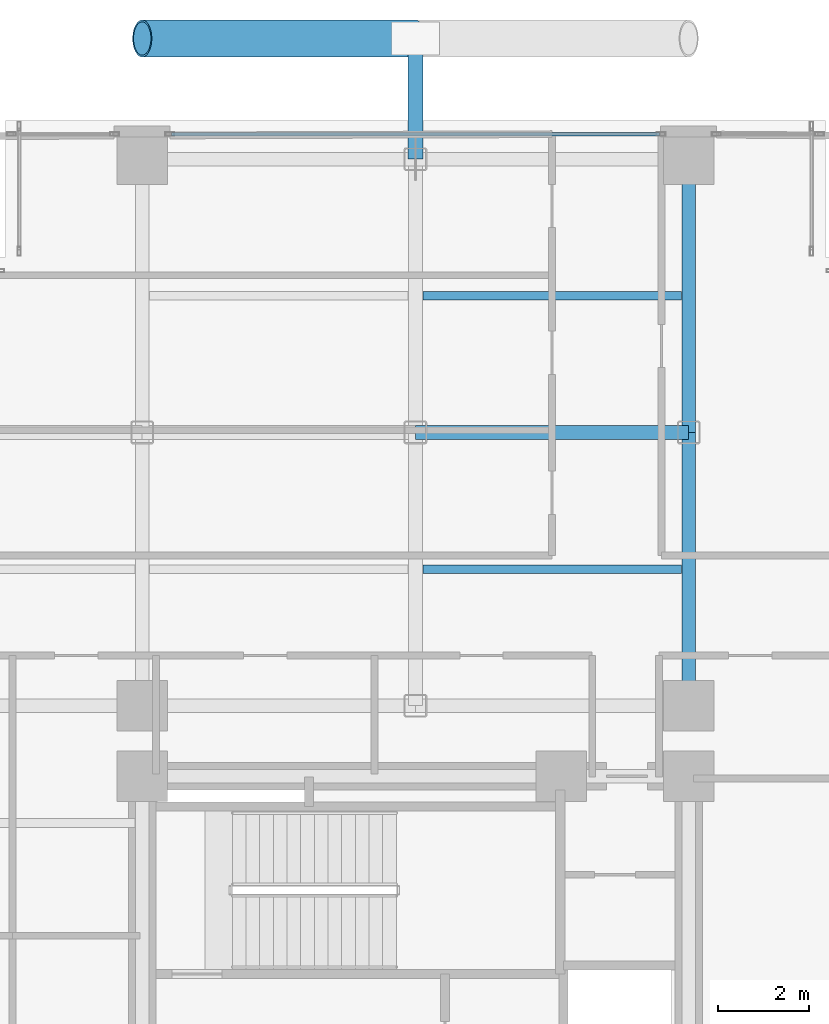
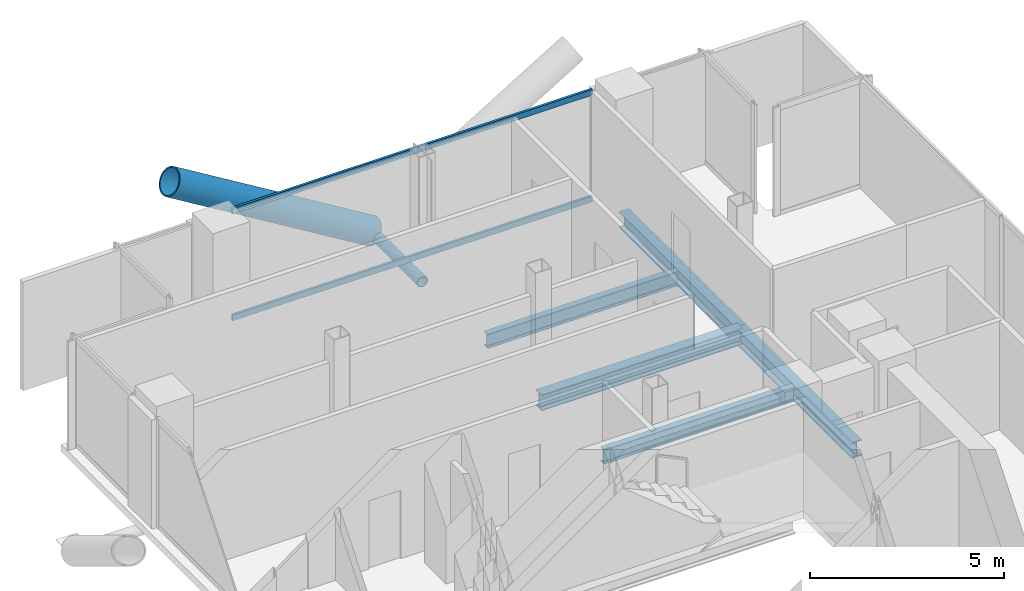
# One storey, part 15 of 24: 5 beams, 4 members, 1 element without a shape of its own.
"""IFC4 building model written with IfcOpenShell, lengths in metres."""

from ifc_helpers import new_model, si_unit, direction, frame, origin, origin_2d, place, context, subcontext, project, spatial, hollow_rectangle, hollow_circle, i_section, extrude, material, layer, layer_set, material_profile, profile_set, type_object, element, aggregate, save


model = new_model("IFC4")

# Units and contexts
model_context = context("Model", 3, precision=1e-05, world=origin(), true_north=direction((0.0, 1.0)))
body_context = subcontext(model_context, "Body", "Model", "MODEL_VIEW")
ifc_project = project(units=[si_unit("LENGTHUNIT", "METRE"), si_unit("AREAUNIT", "SQUARE_METRE"), si_unit("VOLUMEUNIT", "CUBIC_METRE"), si_unit("PLANEANGLEUNIT", "RADIAN"), si_unit("MASSUNIT", "GRAM", prefix="KILO"), si_unit("THERMODYNAMICTEMPERATUREUNIT", "KELVIN"), si_unit("POWERUNIT", "WATT")], contexts=[model_context])

# Site, building, storey
site_placement = place(None, origin())
site = spatial("IfcSite", under=ifc_project, at=site_placement, CompositionType="ELEMENT")
building_placement = place(site_placement, origin())
building = spatial("IfcBuilding", under=site, at=building_placement, Name="Svarakhadi Broadcast Tower", CompositionType="ELEMENT")
storey_placement = place(building_placement, frame((0.0, 0.0, 160.64990234375)))
storey = spatial("IfcBuildingStorey", under=building, at=storey_placement, Name="L39", CompositionType="ELEMENT", Elevation=160.64990234375)

# Beams
ifc_material_1 = material(Name="Steel S355J2 (IS 2062 E350C)", Category="steel")
ifc_material_profile_1 = material_profile(ifc_material_1, i_section(OverallWidth=0.18994140625, OverallDepth=0.449951171875, WebThickness=0.009521484375, FlangeThickness=0.0146484375, FilletRadius=0.02099609375, at=origin_2d()), Name="NPB 450x190x78")
ifc_profile_set_1 = profile_set([ifc_material_profile_1], Name="Steel S355J2 (IS 2062 E350C)")
beam_type_1 = type_object("IfcBeamType", Name="Beam_NPB450", PredefinedType="BEAM", material=ifc_profile_set_1)
for number, where, z_axis, x_axis, name in (
    (1, (12.159912109375, 32.14990234375, -0.449951171875), (1.0, 0.0, 0.0), (0.0, 1.0, 0.0), "L39 Secondary Composite Beam SB014"),
    (2, (12.159912109375, 38.14990234375, -0.449951171875), (1.0, 0.0, 0.0), (0.0, 1.0, 0.0), "L39 Secondary Composite Beam SB015"),
):
    element("IfcBeam", number, at=place(storey_placement, frame(where, z_axis=z_axis, x_axis=x_axis)), inside=storey, type_object=beam_type_1, Name=name, PredefinedType="BEAM", context=body_context, shape_type="SweptSolid", body=[
        extrude(i_section(OverallWidth=0.18994140625, OverallDepth=0.449951171875, WebThickness=0.009521484375, FlangeThickness=0.0146484375, FilletRadius=0.02099609375, at=origin_2d()), origin(), (0.0, 0.0, 1.0), 5.68017578125),
    ])

# Curtain wall, members
ifc_material_2 = material(Name="Anodised Bronze Aluminium AA 6063-T6", Category="aluminium")
ifc_layer = layer(ifc_material_2, 0.199951171875)
ifc_layer_set = layer_set([ifc_layer], Name="Anodised Bronze Aluminium AA 6063-T6")
curtain_wall_type = type_object("IfcCurtainWallType", Name="CW_Sys_03", PredefinedType="NOTDEFINED", material=ifc_layer_set)
curtain_wall_placement = place(storey_placement, origin())
curtain_wall = element("IfcCurtainWall", 3, at=curtain_wall_placement, inside=storey, type_object=curtain_wall_type, Name="L39 Unitised Facade Curtain Wall 06 Bay 2", PredefinedType="NOTDEFINED")
ifc_material_profile_2 = material_profile(ifc_material_2, hollow_rectangle(XDim=0.070068359375, YDim=0.18505859375, WallThickness=0.0048828125, at=origin_2d()), Name="ALU TRANSOM 185x70x5")
ifc_profile_set_2 = profile_set([ifc_material_profile_2], Name="Anodised Bronze Aluminium AA 6063-T6")
member_type_1 = type_object("IfcMemberType", Name="CW_Sys_03_Trn", PredefinedType="USERDEFINED", material=ifc_profile_set_2)
member_1_placement = place(storey_placement, frame((6.64501953125, 41.699951171875, 0.03515625), z_axis=(1.0, 0.0, 0.0), x_axis=(0.0, 1.0, 0.0)))
member_1 = element("IfcMember", 4, at=member_1_placement, type_object=member_type_1, Name="CW-03 transom 1.1", ObjectType="TRANSOM", PredefinedType="USERDEFINED", context=body_context, shape_type="SweptSolid", body=[
    extrude(hollow_rectangle(XDim=0.070068359375, YDim=0.18505859375, WallThickness=0.0048828125, at=origin_2d()), origin(), (0.0, 0.0, 1.0), 10.7099609375),
])
member_2_placement = place(storey_placement, frame((6.64501953125, 41.699951171875, 3.39013671875), z_axis=(1.0, 0.0, 0.0), x_axis=(0.0, 1.0, 0.0)))
member_2 = element("IfcMember", 5, at=member_2_placement, type_object=member_type_1, Name="CW-03 transom 1.2", ObjectType="TRANSOM", PredefinedType="USERDEFINED", context=body_context, shape_type="SweptSolid", body=[
    extrude(hollow_rectangle(XDim=0.070068359375, YDim=0.18505859375, WallThickness=0.0048828125, at=origin_2d()), origin(), (0.0, 0.0, 1.0), 10.7099609375),
])
aggregate(curtain_wall, [member_1, member_2])

# Members
ifc_material_3 = material(Name="Steel S460ML (IS 2062 E450BR)", Category="steel")
ifc_material_profile_3 = material_profile(ifc_material_3, hollow_circle(Radius=0.406494140625, WallThickness=0.0400390625, at=origin_2d()), Name="CHS 813x40")
ifc_profile_set_3 = profile_set([ifc_material_profile_3], Name="Steel S460ML (IS 2062 E450BR)")
member_type_2 = type_object("IfcMemberType", Name="Exo_Brace_CHS813", PredefinedType="BRACE", material=ifc_profile_set_3)
member_3_placement = place(storey_placement, frame((12.0, 43.800048828125, -0.386962890625), z_axis=(-0.854326743865, 0.0, 0.519736293438), x_axis=(0.0, -1.0, 0.0)))
element("IfcMember", 6, at=member_3_placement, inside=storey, type_object=member_type_2, Name="L39 Exposed Bronze Exoskeleton Diagonal N08", PredefinedType="BRACE", context=body_context, shape_type="SweptSolid", body=[
    extrude(hollow_circle(Radius=0.406494140625, WallThickness=0.0400390625, at=origin_2d()), origin(), (0.0, 0.0, 1.0), 7.023193359375),
])
ifc_material_profile_4 = material_profile(ifc_material_3, hollow_circle(Radius=0.161865234375, WallThickness=0.01611328125, at=origin_2d()), Name="CHS 323.9x16")
ifc_profile_set_4 = profile_set([ifc_material_profile_4], Name="Steel S460ML (IS 2062 E450BR)")
member_type_3 = type_object("IfcMemberType", Name="Exo_Radial_Strut_Z2", PredefinedType="STRUT", material=ifc_profile_set_4)
member_4_placement = place(storey_placement, frame((12.0, 43.800048828125, -0.386962890625), z_axis=(0.0, -1.0, 0.0), x_axis=(1.0, 0.0, 0.0)))
element("IfcMember", 7, at=member_4_placement, inside=storey, type_object=member_type_3, Name="L39 Exoskeleton Radial Tie Strut N06", PredefinedType="STRUT", context=body_context, shape_type="SweptSolid", body=[
    extrude(hollow_circle(Radius=0.161865234375, WallThickness=0.01611328125, at=origin_2d()), origin(), (0.0, 0.0, 1.0), 2.650146484375),
])

# Beams
ifc_material_profile_5 = material_profile(ifc_material_1, i_section(OverallWidth=0.300048828125, OverallDepth=0.5, WebThickness=0.014404296875, FlangeThickness=0.028076171875, FilletRadius=0.027099609375, at=origin_2d()), Name="WPB 500x300x187")
ifc_profile_set_5 = profile_set([ifc_material_profile_5], Name="Steel S355J2 (IS 2062 E350C)")
beam_type_2 = type_object("IfcBeamType", Name="Girder_WPB500", PredefinedType="USERDEFINED", material=ifc_profile_set_5)
for number, where, z_axis, x_axis, name in (
    (8, (12.0, 35.14990234375, -0.474853515625), (1.0, 0.0, 0.0), (0.0, 1.0, 0.0), "L39 Primary E-W Girder G037"),
    (9, (18.0, 29.14990234375, -0.474853515625), (0.0, 1.0, 0.0), (-1.0, 0.0, 0.0), "L39 Primary N-S Girder G060"),
    (10, (18.0, 35.14990234375, -0.474853515625), (0.0, 1.0, 0.0), (-1.0, 0.0, 0.0), "L39 Primary N-S Girder G061"),
):
    element("IfcBeam", number, at=place(storey_placement, frame(where, z_axis=z_axis, x_axis=x_axis)), inside=storey, type_object=beam_type_2, Name=name, ObjectType="GIRDER", PredefinedType="USERDEFINED", context=body_context, shape_type="SweptSolid", body=[
        extrude(i_section(OverallWidth=0.300048828125, OverallDepth=0.5, WebThickness=0.014404296875, FlangeThickness=0.028076171875, FilletRadius=0.027099609375, at=origin_2d()), origin(), (0.0, 0.0, 1.0), 6.0),
    ])

save(model, "model.ifc")
